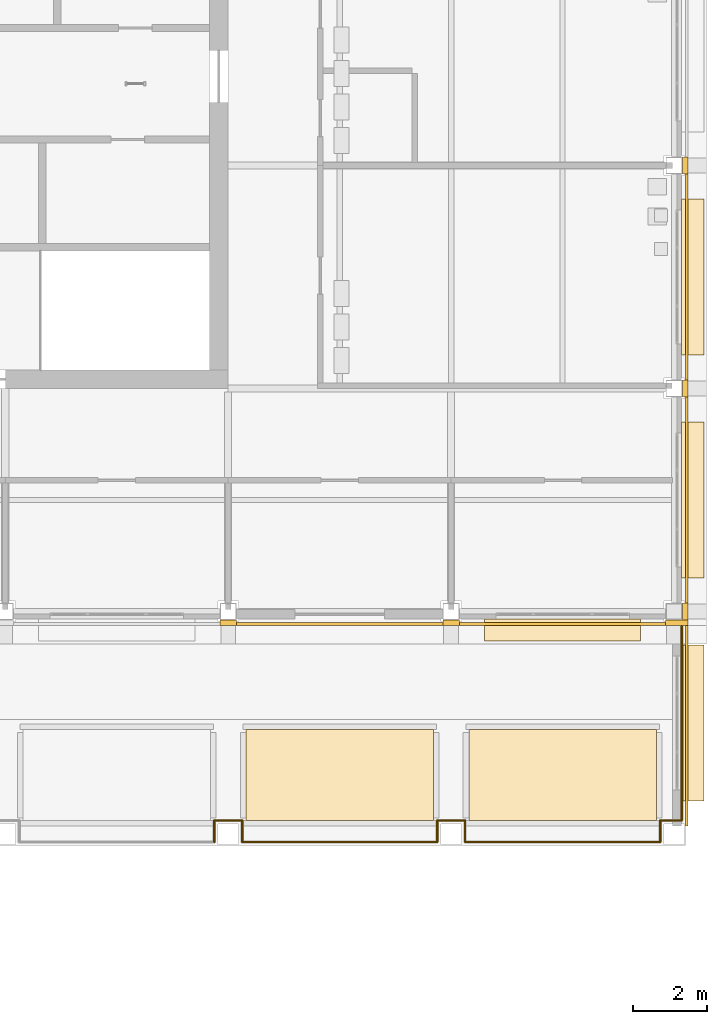
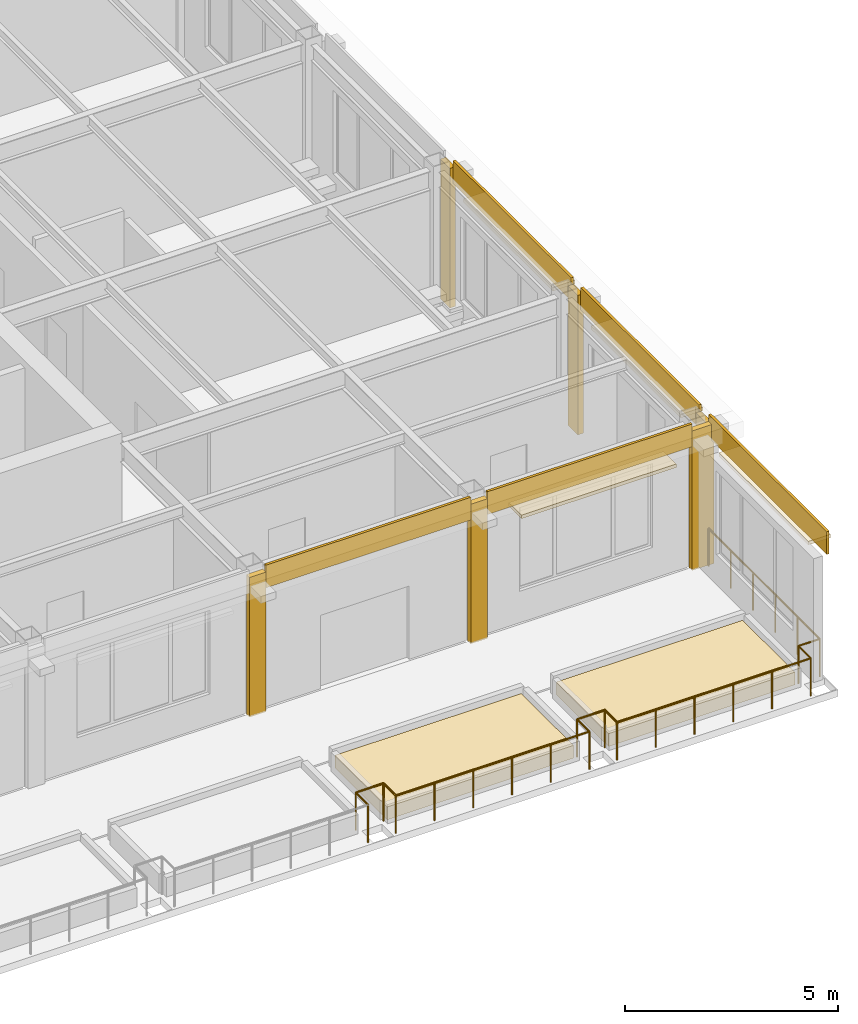
# One storey, part 80 of 82: 17 coverings, 11 railings.
"""IFC4 building model written with IfcOpenShell, lengths in metres."""

from ifc_helpers import new_model, si_unit, direction, frame, origin, origin_2d, place, context, subcontext, project, spatial, polyline, circle, outline, extrude, material, layer, layer_set, type_object, element, save


model = new_model("IFC4")

# Units and contexts
model_context = context("Model", 3, precision=1e-05, world=origin(), true_north=direction((0.0, 1.0)))
body_context = subcontext(model_context, "Body", "Model", "MODEL_VIEW")
ifc_project = project(units=[si_unit("LENGTHUNIT", "METRE"), si_unit("AREAUNIT", "SQUARE_METRE"), si_unit("VOLUMEUNIT", "CUBIC_METRE"), si_unit("PLANEANGLEUNIT", "RADIAN"), si_unit("MASSUNIT", "GRAM", prefix="KILO")], contexts=[model_context])

# Site, building, storey
site_placement = place(None, origin())
site = spatial("IfcSite", under=ifc_project, at=site_placement, CompositionType="ELEMENT")
building_placement = place(site_placement, origin())
building = spatial("IfcBuilding", under=site, at=building_placement, Name="Aravalli Gate Trade Fair Centre", CompositionType="ELEMENT")
storey_placement = place(building_placement, frame((0.0, 0.0, 19.199951171875)))
storey = spatial("IfcBuildingStorey", under=building, at=storey_placement, Name="L04", CompositionType="ELEMENT", Elevation=19.199951171875)

# Coverings
ifc_material_1 = material(Name="Terracotta", Category="masonry")
ifc_layer_1 = layer(ifc_material_1, 0.10009765625)
ifc_layer_set_1 = layer_set([ifc_layer_1], Name="Terracotta")
covering_type_1 = type_object("IfcCoveringType", Name="Wing chhajja hood 100", PredefinedType="MOLDING", material=ifc_layer_set_1)
covering_1_placement = place(storey_placement, frame((0.0, 0.0, 3.449951171875)))
element("IfcCovering", 1, at=covering_1_placement, inside=storey, type_object=covering_type_1, Name="Chhajja hood S6 L04", PredefinedType="MOLDING", context=body_context, shape_type="SweptSolid", body=[
    extrude(outline(polyline([(196.89990234375, 96.199951171875), (201.10009765625, 96.199951171875), (201.10009765625, 96.800048828125), (196.89990234375, 96.800048828125), (196.89990234375, 96.199951171875)])), origin(), (0.0, 0.0, 1.0), 0.10009765625),
])
covering_2_placement = place(storey_placement, frame((0.0, 0.0, 3.449951171875)))
element("IfcCovering", 2, at=covering_2_placement, inside=storey, type_object=covering_type_1, Name="Chhajja hood E0 L04", PredefinedType="MOLDING", context=body_context, shape_type="SweptSolid", body=[
    extrude(outline(polyline([(202.199951171875, 91.89990234375), (202.800048828125, 91.89990234375), (202.800048828125, 96.10009765625), (202.199951171875, 96.10009765625), (202.199951171875, 91.89990234375)])), origin(), (0.0, 0.0, 1.0), 0.10009765625),
])
covering_3_placement = place(storey_placement, frame((0.0, 0.0, 3.449951171875)))
element("IfcCovering", 3, at=covering_3_placement, inside=storey, type_object=covering_type_1, Name="Chhajja hood E1 L04", PredefinedType="MOLDING", context=body_context, shape_type="SweptSolid", body=[
    extrude(outline(polyline([(202.199951171875, 97.89990234375), (202.800048828125, 97.89990234375), (202.800048828125, 102.10009765625), (202.199951171875, 102.10009765625), (202.199951171875, 97.89990234375)])), origin(), (0.0, 0.0, 1.0), 0.10009765625),
])
covering_4_placement = place(storey_placement, frame((0.0, 0.0, 3.449951171875)))
element("IfcCovering", 4, at=covering_4_placement, inside=storey, type_object=covering_type_1, Name="Chhajja hood E2 L04", PredefinedType="MOLDING", context=body_context, shape_type="SweptSolid", body=[
    extrude(outline(polyline([(202.199951171875, 103.89990234375), (202.800048828125, 103.89990234375), (202.800048828125, 108.10009765625), (202.199951171875, 108.10009765625), (202.199951171875, 103.89990234375)])), origin(), (0.0, 0.0, 1.0), 0.10009765625),
])
ifc_material_2 = material(Name="Bituminous waterproofing membrane")
ifc_layer_2 = layer(ifc_material_2, 0.010009765625, Name="Waterproofing membrane")
ifc_material_3 = material(Name="Polyethylene drainage board")
ifc_layer_3 = layer(ifc_material_3, 0.050048828125, Name="Drainage layer")
ifc_material_4 = material(Name="Geotextile fleece")
ifc_layer_4 = layer(ifc_material_4, 0.0048828125, Name="Filter layer")
ifc_material_5 = material(Name="Growing medium")
ifc_layer_5 = layer(ifc_material_5, 0.300048828125, Name="Growing medium")
ifc_layer_set_2 = layer_set([ifc_layer_2, ifc_layer_3, ifc_layer_4, ifc_layer_5], Name="Wing green roof build-up 365")
covering_type_2 = type_object("IfcCoveringType", Name="Wing green roof build-up 365", PredefinedType="ROOFING", material=ifc_layer_set_2)
covering_5_placement = place(storey_placement, origin())
element("IfcCovering", 5, at=covering_5_placement, inside=storey, type_object=covering_type_2, Name="Roof garden bed L04 6", PredefinedType="ROOFING", context=body_context, shape_type="SweptSolid", body=[
    extrude(outline(polyline([(190.47509765625, 91.3701171875), (195.52490234375, 91.3701171875), (195.52490234375, 93.820068359375), (190.47509765625, 93.820068359375), (190.47509765625, 91.3701171875)])), origin(), (0.0, 0.0, 1.0), 0.364990234375),
])
covering_6_placement = place(storey_placement, origin())
element("IfcCovering", 6, at=covering_6_placement, inside=storey, type_object=covering_type_2, Name="Roof garden bed L04 7", PredefinedType="ROOFING", context=body_context, shape_type="SweptSolid", body=[
    extrude(outline(polyline([(196.47509765625, 91.3701171875), (201.52490234375, 91.3701171875), (201.52490234375, 93.820068359375), (196.47509765625, 93.820068359375), (196.47509765625, 91.3701171875)])), origin(), (0.0, 0.0, 1.0), 0.364990234375),
])
ifc_material_6 = material(Name="Terracotta lattice", Category="masonry")
ifc_layer_6 = layer(ifc_material_6, 0.070068359375)
ifc_layer_set_3 = layer_set([ifc_layer_6], Name="Terracotta lattice")
covering_type_3 = type_object("IfcCoveringType", Name="Wing jali spandrel panel 70", PredefinedType="CLADDING", material=ifc_layer_set_3)
covering_7_placement = place(storey_placement, frame((0.0, 0.0, 3.550048828125)))
element("IfcCovering", 7, at=covering_7_placement, inside=storey, type_object=covering_type_3, Name="Jali spandrel panel S5 L04", PredefinedType="CLADDING", context=body_context, shape_type="SweptSolid", body=[
    extrude(outline(polyline([(190.22509765625, 96.625), (195.77490234375, 96.625), (195.77490234375, 96.695068359375), (190.22509765625, 96.695068359375), (190.22509765625, 96.625)])), origin(), (0.0, 0.0, 1.0), 0.64990234375),
])
covering_8_placement = place(storey_placement, frame((0.0, 0.0, 3.550048828125)))
element("IfcCovering", 8, at=covering_8_placement, inside=storey, type_object=covering_type_3, Name="Jali spandrel panel S6 L04", PredefinedType="CLADDING", context=body_context, shape_type="SweptSolid", body=[
    extrude(outline(polyline([(196.22509765625, 96.625), (201.77490234375, 96.625), (201.77490234375, 96.695068359375), (196.22509765625, 96.695068359375), (196.22509765625, 96.625)])), origin(), (0.0, 0.0, 1.0), 0.64990234375),
])
ifc_material_7 = material(Name="Glazed terracotta", Category="masonry")
ifc_layer_7 = layer(ifc_material_7, 0.14990234375)
ifc_layer_set_4 = layer_set([ifc_layer_7], Name="Glazed terracotta")
covering_type_4 = type_object("IfcCoveringType", Name="Wing pier casing 150", PredefinedType="CLADDING", material=ifc_layer_set_4)
covering_9_placement = place(storey_placement, origin())
element("IfcCovering", 9, at=covering_9_placement, inside=storey, type_object=covering_type_4, Name="Pier casing 25T1 S L04", PredefinedType="CLADDING", context=body_context, shape_type="SweptSolid", body=[
    extrude(outline(polyline([(201.77490234375, 96.625), (202.375, 96.625), (202.375, 96.77490234375), (201.77490234375, 96.77490234375), (201.77490234375, 96.625)])), origin(), (0.0, 0.0, 1.0), 4.0),
])
covering_10_placement = place(storey_placement, origin())
element("IfcCovering", 10, at=covering_10_placement, inside=storey, type_object=covering_type_4, Name="Pier casing 25T1 E L04", PredefinedType="CLADDING", context=body_context, shape_type="SweptSolid", body=[
    extrude(outline(polyline([(202.22509765625, 96.77490234375), (202.375, 96.77490234375), (202.375, 97.22509765625), (202.22509765625, 97.22509765625), (202.22509765625, 96.77490234375)])), origin(), (0.0, 0.0, 1.0), 4.0),
])
covering_11_placement = place(storey_placement, origin())
element("IfcCovering", 11, at=covering_11_placement, inside=storey, type_object=covering_type_4, Name="Pier casing 25T2 E L04", PredefinedType="CLADDING", context=body_context, shape_type="SweptSolid", body=[
    extrude(outline(polyline([(202.22509765625, 102.77490234375), (202.375, 102.77490234375), (202.375, 103.22509765625), (202.22509765625, 103.22509765625), (202.22509765625, 102.77490234375)])), origin(), (0.0, 0.0, 1.0), 4.0),
])
covering_12_placement = place(storey_placement, origin())
element("IfcCovering", 12, at=covering_12_placement, inside=storey, type_object=covering_type_4, Name="Pier casing 25H E L04", PredefinedType="CLADDING", context=body_context, shape_type="SweptSolid", body=[
    extrude(outline(polyline([(202.22509765625, 108.77490234375), (202.375, 108.77490234375), (202.375, 109.22509765625), (202.22509765625, 109.22509765625), (202.22509765625, 108.77490234375)])), origin(), (0.0, 0.0, 1.0), 4.0),
])
covering_13_placement = place(storey_placement, origin())
element("IfcCovering", 13, at=covering_13_placement, inside=storey, type_object=covering_type_4, Name="Pier casing 23T1 S L04", PredefinedType="CLADDING", context=body_context, shape_type="SweptSolid", body=[
    extrude(outline(polyline([(189.77490234375, 96.625), (190.22509765625, 96.625), (190.22509765625, 96.77490234375), (189.77490234375, 96.77490234375), (189.77490234375, 96.625)])), origin(), (0.0, 0.0, 1.0), 4.0),
])
covering_14_placement = place(storey_placement, origin())
element("IfcCovering", 14, at=covering_14_placement, inside=storey, type_object=covering_type_4, Name="Pier casing 24T1 S L04", PredefinedType="CLADDING", context=body_context, shape_type="SweptSolid", body=[
    extrude(outline(polyline([(195.77490234375, 96.625), (196.22509765625, 96.625), (196.22509765625, 96.77490234375), (195.77490234375, 96.77490234375), (195.77490234375, 96.625)])), origin(), (0.0, 0.0, 1.0), 4.0),
])
ifc_layer_8 = layer(ifc_material_7, 0.070068359375)
ifc_layer_set_5 = layer_set([ifc_layer_8], Name="Glazed terracotta")
covering_type_5 = type_object("IfcCoveringType", Name="Wing spandrel band 70", PredefinedType="CLADDING", material=ifc_layer_set_5)
covering_15_placement = place(storey_placement, frame((0.0, 0.0, 3.550048828125)))
element("IfcCovering", 15, at=covering_15_placement, inside=storey, type_object=covering_type_5, Name="Spandrel band E0 L04", PredefinedType="CLADDING", context=body_context, shape_type="SweptSolid", body=[
    extrude(outline(polyline([(202.304931640625, 91.22509765625), (202.375, 91.22509765625), (202.375, 96.77490234375), (202.304931640625, 96.77490234375), (202.304931640625, 91.22509765625)])), origin(), (0.0, 0.0, 1.0), 0.64990234375),
])
covering_16_placement = place(storey_placement, frame((0.0, 0.0, 3.550048828125)))
element("IfcCovering", 16, at=covering_16_placement, inside=storey, type_object=covering_type_5, Name="Spandrel band E1 L04", PredefinedType="CLADDING", context=body_context, shape_type="SweptSolid", body=[
    extrude(outline(polyline([(202.304931640625, 97.22509765625), (202.375, 97.22509765625), (202.375, 102.77490234375), (202.304931640625, 102.77490234375), (202.304931640625, 97.22509765625)])), origin(), (0.0, 0.0, 1.0), 0.64990234375),
])
covering_17_placement = place(storey_placement, frame((0.0, 0.0, 3.550048828125)))
element("IfcCovering", 17, at=covering_17_placement, inside=storey, type_object=covering_type_5, Name="Spandrel band E2 L04", PredefinedType="CLADDING", context=body_context, shape_type="SweptSolid", body=[
    extrude(outline(polyline([(202.304931640625, 103.22509765625), (202.375, 103.22509765625), (202.375, 108.77490234375), (202.304931640625, 108.77490234375), (202.304931640625, 103.22509765625)])), origin(), (0.0, 0.0, 1.0), 0.64990234375),
])

# Railings
ifc_material_8 = material(Name="Steel E350", Category="steel")
railing_type = type_object("IfcRailingType", Name="Wing terrace guard", PredefinedType="GUARDRAIL", material=ifc_material_8)
railing_1_placement = place(storey_placement, frame((202.205078125, 96.594970703125, 0.0)))
element("IfcRailing", 18, at=railing_1_placement, inside=storey, type_object=railing_type, Name="Terrace guard L04 1", PredefinedType="GUARDRAIL", context=body_context, shape_type="SweptSolid", body=[
    extrude(circle(Radius=0.02392578125, at=origin_2d()), frame((0.0, 0.0, 1.076171875), z_axis=(0.0, -1.0, 0.0), x_axis=(1.0, 0.0, 0.0)), (0.0, 0.0, 1.0), 5.219970703125),
    extrude(circle(Radius=0.02099609375, at=origin_2d()), origin(), (0.0, 0.0, 1.0), 1.052001953125),
    extrude(circle(Radius=0.02099609375, at=origin_2d()), frame((0.0, -1.0439453125, 0.0)), (0.0, 0.0, 1.0), 1.052001953125),
    extrude(circle(Radius=0.02099609375, at=origin_2d()), frame((0.0, -2.087890625, 0.0)), (0.0, 0.0, 1.0), 1.052001953125),
    extrude(circle(Radius=0.02099609375, at=origin_2d()), frame((0.0, -3.132080078125, 0.0)), (0.0, 0.0, 1.0), 1.052001953125),
    extrude(circle(Radius=0.02099609375, at=origin_2d()), frame((0.0, -4.176025390625, 0.0)), (0.0, 0.0, 1.0), 1.052001953125),
    extrude(circle(Radius=0.02099609375, at=origin_2d()), frame((0.0, -5.219970703125, 0.0)), (0.0, 0.0, 1.0), 1.052001953125),
])
railing_2_placement = place(storey_placement, frame((202.205078125, 91.375, 0.0)))
element("IfcRailing", 19, at=railing_2_placement, inside=storey, type_object=railing_type, Name="Terrace guard L04 2", PredefinedType="GUARDRAIL", context=body_context, shape_type="SweptSolid", body=[
    extrude(circle(Radius=0.02392578125, at=origin_2d()), frame((0.0, 0.0, 1.076171875), z_axis=(-1.0, 0.0, 0.0), x_axis=(0.0, -1.0, 0.0)), (0.0, 0.0, 1.0), 0.580078125),
    extrude(circle(Radius=0.02099609375, at=origin_2d()), origin(), (0.0, 0.0, 1.0), 1.052001953125),
    extrude(circle(Radius=0.02099609375, at=origin_2d()), frame((-0.580078125, 0.0, 0.0)), (0.0, 0.0, 1.0), 1.052001953125),
])
railing_3_placement = place(storey_placement, frame((201.625, 91.375, 0.0)))
element("IfcRailing", 20, at=railing_3_placement, inside=storey, type_object=railing_type, Name="Terrace guard L04 3", PredefinedType="GUARDRAIL", context=body_context, shape_type="SweptSolid", body=[
    extrude(circle(Radius=0.02392578125, at=origin_2d()), frame((0.0, 0.0, 1.076171875), z_axis=(0.0, -1.0, 0.0), x_axis=(1.0, 0.0, 0.0)), (0.0, 0.0, 1.0), 0.580078125),
    extrude(circle(Radius=0.02099609375, at=origin_2d()), origin(), (0.0, 0.0, 1.0), 1.052001953125),
    extrude(circle(Radius=0.02099609375, at=origin_2d()), frame((0.0, -0.580078125, 0.0)), (0.0, 0.0, 1.0), 1.052001953125),
])
railing_4_placement = place(storey_placement, frame((201.625, 90.794921875, 0.0)))
element("IfcRailing", 21, at=railing_4_placement, inside=storey, type_object=railing_type, Name="Terrace guard L04 4", PredefinedType="GUARDRAIL", context=body_context, shape_type="SweptSolid", body=[
    extrude(circle(Radius=0.02392578125, at=origin_2d()), frame((0.0, 0.0, 1.076171875), z_axis=(-1.0, 0.0, 0.0), x_axis=(0.0, -1.0, 0.0)), (0.0, 0.0, 1.0), 5.25),
    extrude(circle(Radius=0.02099609375, at=origin_2d()), origin(), (0.0, 0.0, 1.0), 1.052001953125),
    extrude(circle(Radius=0.02099609375, at=origin_2d()), frame((-1.050048828125, 0.0, 0.0)), (0.0, 0.0, 1.0), 1.052001953125),
    extrude(circle(Radius=0.02099609375, at=origin_2d()), frame((-2.10009765625, 0.0, 0.0)), (0.0, 0.0, 1.0), 1.052001953125),
    extrude(circle(Radius=0.02099609375, at=origin_2d()), frame((-3.14990234375, 0.0, 0.0)), (0.0, 0.0, 1.0), 1.052001953125),
    extrude(circle(Radius=0.02099609375, at=origin_2d()), frame((-4.199951171875, 0.0, 0.0)), (0.0, 0.0, 1.0), 1.052001953125),
    extrude(circle(Radius=0.02099609375, at=origin_2d()), frame((-5.25, 0.0, 0.0)), (0.0, 0.0, 1.0), 1.052001953125),
])
railing_5_placement = place(storey_placement, frame((196.375, 90.794921875, 0.0)))
element("IfcRailing", 22, at=railing_5_placement, inside=storey, type_object=railing_type, Name="Terrace guard L04 5", PredefinedType="GUARDRAIL", context=body_context, shape_type="SweptSolid", body=[
    extrude(circle(Radius=0.02392578125, at=origin_2d()), frame((0.0, 0.0, 1.076171875), z_axis=(0.0, 1.0, 0.0), x_axis=(-1.0, 0.0, 0.0)), (0.0, 0.0, 1.0), 0.580078125),
    extrude(circle(Radius=0.02099609375, at=origin_2d()), origin(), (0.0, 0.0, 1.0), 1.052001953125),
    extrude(circle(Radius=0.02099609375, at=origin_2d()), frame((0.0, 0.580078125, 0.0)), (0.0, 0.0, 1.0), 1.052001953125),
])
railing_6_placement = place(storey_placement, frame((196.375, 91.375, 0.0)))
element("IfcRailing", 23, at=railing_6_placement, inside=storey, type_object=railing_type, Name="Terrace guard L04 6", PredefinedType="GUARDRAIL", context=body_context, shape_type="SweptSolid", body=[
    extrude(circle(Radius=0.02392578125, at=origin_2d()), frame((0.0, 0.0, 1.076171875), z_axis=(-1.0, 0.0, 0.0), x_axis=(0.0, -1.0, 0.0)), (0.0, 0.0, 1.0), 0.75),
    extrude(circle(Radius=0.02099609375, at=origin_2d()), origin(), (0.0, 0.0, 1.0), 1.052001953125),
    extrude(circle(Radius=0.02099609375, at=origin_2d()), frame((-0.75, 0.0, 0.0)), (0.0, 0.0, 1.0), 1.052001953125),
])
railing_7_placement = place(storey_placement, frame((195.625, 91.375, 0.0)))
element("IfcRailing", 24, at=railing_7_placement, inside=storey, type_object=railing_type, Name="Terrace guard L04 7", PredefinedType="GUARDRAIL", context=body_context, shape_type="SweptSolid", body=[
    extrude(circle(Radius=0.02392578125, at=origin_2d()), frame((0.0, 0.0, 1.076171875), z_axis=(0.0, -1.0, 0.0), x_axis=(1.0, 0.0, 0.0)), (0.0, 0.0, 1.0), 0.580078125),
    extrude(circle(Radius=0.02099609375, at=origin_2d()), origin(), (0.0, 0.0, 1.0), 1.052001953125),
    extrude(circle(Radius=0.02099609375, at=origin_2d()), frame((0.0, -0.580078125, 0.0)), (0.0, 0.0, 1.0), 1.052001953125),
])
railing_8_placement = place(storey_placement, frame((195.625, 90.794921875, 0.0)))
element("IfcRailing", 25, at=railing_8_placement, inside=storey, type_object=railing_type, Name="Terrace guard L04 8", PredefinedType="GUARDRAIL", context=body_context, shape_type="SweptSolid", body=[
    extrude(circle(Radius=0.02392578125, at=origin_2d()), frame((0.0, 0.0, 1.076171875), z_axis=(-1.0, 0.0, 0.0), x_axis=(0.0, -1.0, 0.0)), (0.0, 0.0, 1.0), 5.25),
    extrude(circle(Radius=0.02099609375, at=origin_2d()), origin(), (0.0, 0.0, 1.0), 1.052001953125),
    extrude(circle(Radius=0.02099609375, at=origin_2d()), frame((-1.050048828125, 0.0, 0.0)), (0.0, 0.0, 1.0), 1.052001953125),
    extrude(circle(Radius=0.02099609375, at=origin_2d()), frame((-2.10009765625, 0.0, 0.0)), (0.0, 0.0, 1.0), 1.052001953125),
    extrude(circle(Radius=0.02099609375, at=origin_2d()), frame((-3.14990234375, 0.0, 0.0)), (0.0, 0.0, 1.0), 1.052001953125),
    extrude(circle(Radius=0.02099609375, at=origin_2d()), frame((-4.199951171875, 0.0, 0.0)), (0.0, 0.0, 1.0), 1.052001953125),
    extrude(circle(Radius=0.02099609375, at=origin_2d()), frame((-5.25, 0.0, 0.0)), (0.0, 0.0, 1.0), 1.052001953125),
])
railing_9_placement = place(storey_placement, frame((190.375, 90.794921875, 0.0)))
element("IfcRailing", 26, at=railing_9_placement, inside=storey, type_object=railing_type, Name="Terrace guard L04 9", PredefinedType="GUARDRAIL", context=body_context, shape_type="SweptSolid", body=[
    extrude(circle(Radius=0.02392578125, at=origin_2d()), frame((0.0, 0.0, 1.076171875), z_axis=(0.0, 1.0, 0.0), x_axis=(-1.0, 0.0, 0.0)), (0.0, 0.0, 1.0), 0.580078125),
    extrude(circle(Radius=0.02099609375, at=origin_2d()), origin(), (0.0, 0.0, 1.0), 1.052001953125),
    extrude(circle(Radius=0.02099609375, at=origin_2d()), frame((0.0, 0.580078125, 0.0)), (0.0, 0.0, 1.0), 1.052001953125),
])
railing_10_placement = place(storey_placement, frame((190.375, 91.375, 0.0)))
element("IfcRailing", 27, at=railing_10_placement, inside=storey, type_object=railing_type, Name="Terrace guard L04 10", PredefinedType="GUARDRAIL", context=body_context, shape_type="SweptSolid", body=[
    extrude(circle(Radius=0.02392578125, at=origin_2d()), frame((0.0, 0.0, 1.076171875), z_axis=(-1.0, 0.0, 0.0), x_axis=(0.0, -1.0, 0.0)), (0.0, 0.0, 1.0), 0.75),
    extrude(circle(Radius=0.02099609375, at=origin_2d()), origin(), (0.0, 0.0, 1.0), 1.052001953125),
    extrude(circle(Radius=0.02099609375, at=origin_2d()), frame((-0.75, 0.0, 0.0)), (0.0, 0.0, 1.0), 1.052001953125),
])
railing_11_placement = place(storey_placement, frame((189.625, 91.375, 0.0)))
element("IfcRailing", 28, at=railing_11_placement, inside=storey, type_object=railing_type, Name="Terrace guard L04 11", PredefinedType="GUARDRAIL", context=body_context, shape_type="SweptSolid", body=[
    extrude(circle(Radius=0.02392578125, at=origin_2d()), frame((0.0, 0.0, 1.076171875), z_axis=(0.0, -1.0, 0.0), x_axis=(1.0, 0.0, 0.0)), (0.0, 0.0, 1.0), 0.580078125),
    extrude(circle(Radius=0.02099609375, at=origin_2d()), origin(), (0.0, 0.0, 1.0), 1.052001953125),
    extrude(circle(Radius=0.02099609375, at=origin_2d()), frame((0.0, -0.580078125, 0.0)), (0.0, 0.0, 1.0), 1.052001953125),
])

save(model, "model.ifc")
